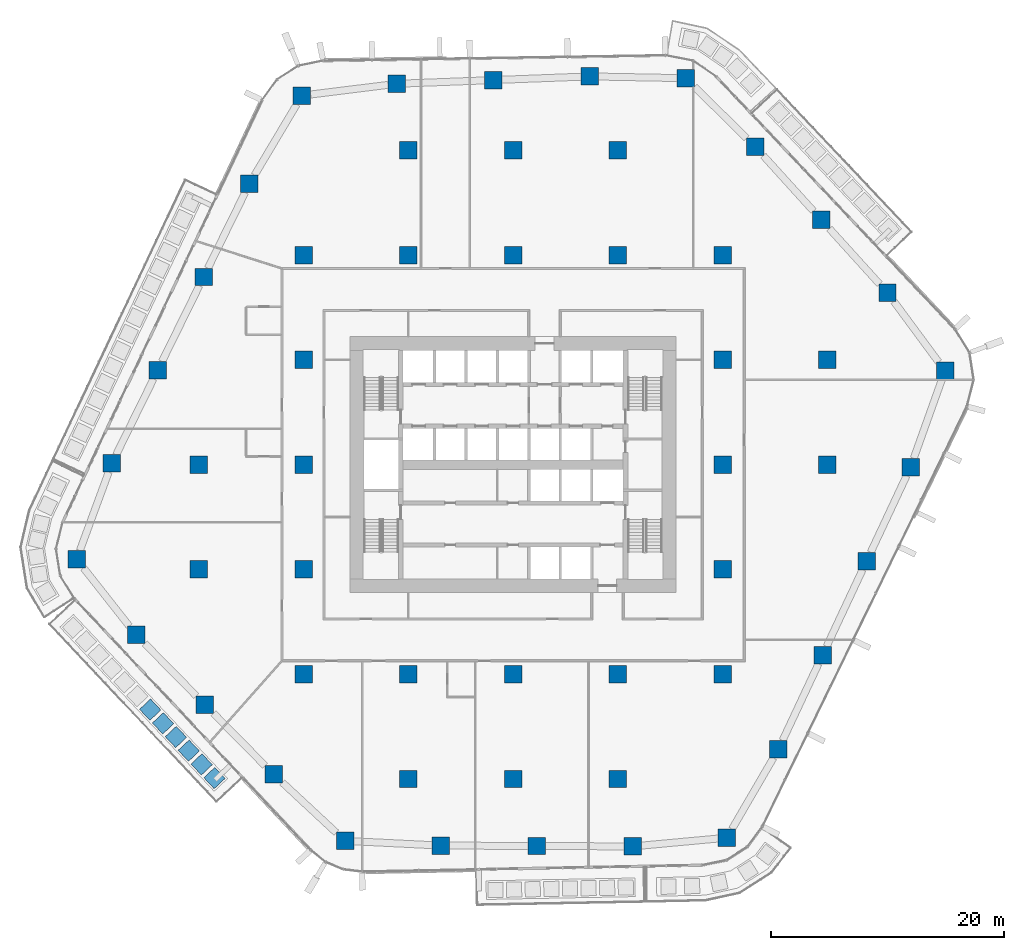
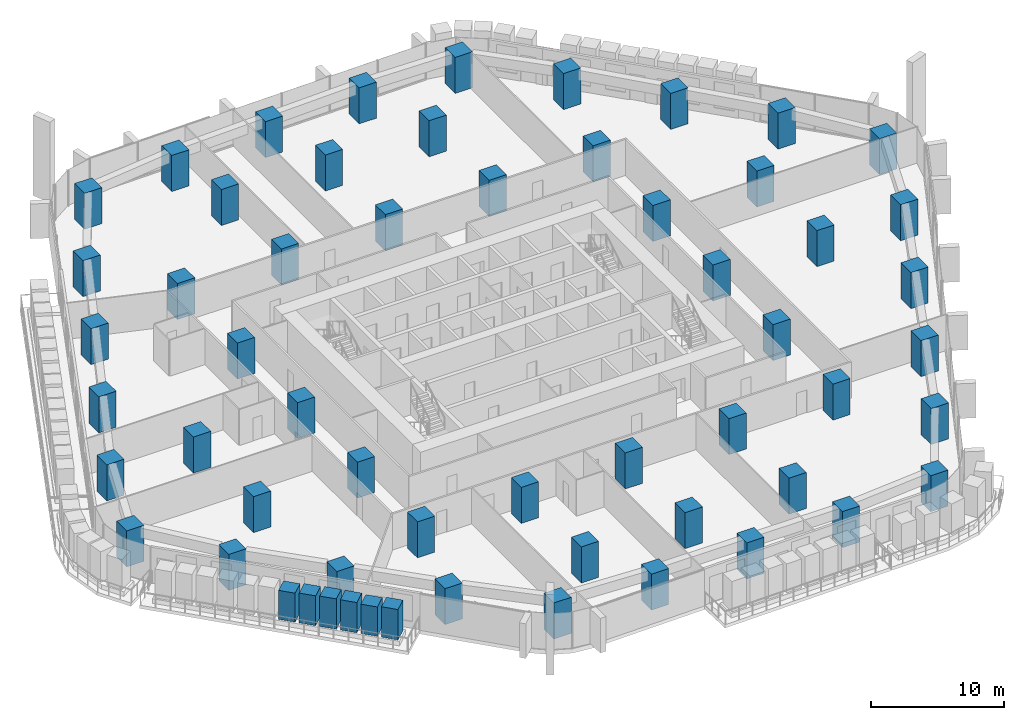
# One storey, part 1 of 25: 52 columns, 6 members.
"""IFC4 building model written with IfcOpenShell, lengths in metres."""

from ifc_helpers import new_model, si_unit, direction, frame, origin, origin_2d, place, context, subcontext, project, spatial, rectangle, extrude, material, material_profile, profile_set, type_object, element, save


model = new_model("IFC4")

# Units and contexts
model_context = context("Model", 3, precision=1e-05, world=origin(), true_north=direction((0.0, 1.0)))
body_context = subcontext(model_context, "Body", "Model", "MODEL_VIEW")
ifc_project = project(units=[si_unit("LENGTHUNIT", "METRE"), si_unit("AREAUNIT", "SQUARE_METRE"), si_unit("VOLUMEUNIT", "CUBIC_METRE"), si_unit("PLANEANGLEUNIT", "RADIAN"), si_unit("MASSUNIT", "GRAM", prefix="KILO")], contexts=[model_context])

# Site, building, storey
site_placement = place(None, origin())
site = spatial("IfcSite", under=ifc_project, at=site_placement, CompositionType="ELEMENT")
building_placement = place(site_placement, origin())
building = spatial("IfcBuilding", under=site, at=building_placement, Name="Dongbaek Canopy Tower", CompositionType="ELEMENT")
storey_placement = place(building_placement, frame((0.0, 0.0, 77.300048828125)))
storey = spatial("IfcBuildingStorey", under=building, at=storey_placement, Name="L15", CompositionType="ELEMENT", Elevation=77.300048828125)

# Columns
ifc_material_1 = material(Name="Concrete C80", Category="concrete")
ifc_material_profile_1 = material_profile(ifc_material_1, rectangle(XDim=1.5, YDim=1.5, at=origin_2d()), Name="RC COLUMN 1500x1500 C80")
ifc_profile_set_1 = profile_set([ifc_material_profile_1], Name="Concrete C80")
column_type = type_object("IfcColumnType", Name="RC COLUMN 1500x1500 C80", PredefinedType="COLUMN", material=ifc_profile_set_1)
for number, where, z_axis, x_axis, name in (
    (1, (18.367919921875, -32.04296875, 0.0), (0.0, 0.0, 1.0), (1.0, 0.0, 0.0), "COL:CZ1-01:L15"),
    (2, (10.277099609375, -32.7900390625, 0.0), (0.0, 0.0, 1.0), (1.0, 0.0, 0.0), "COL:CZ1-02:L15"),
    (3, (2.027099609375, -32.7529296875, 0.0), (0.0, 0.0, 1.0), (1.0, 0.0, 0.0), "COL:CZ1-03:L15"),
    (4, (-6.221923828125, -32.717041015625, 0.0), (0.0, 0.0, 1.0), (1.0, 0.0, 0.0), "COL:CZ1-04:L15"),
    (5, (-14.43408203125, -32.31298828125, 0.0), (0.0, 0.0, 1.0), (1.0, 0.0, 0.0), "COL:CZ1-05:L15"),
    (6, (-20.573974609375, -26.60205078125, 0.0), (0.0, 0.0, 1.0), (1.0, 0.0, 0.0), "COL:CZ1-06:L15"),
    (7, (-26.47802734375, -20.60791015625, 0.0), (0.0, 0.0, 1.0), (1.0, 0.0, 0.0), "COL:CZ1-07:L15"),
    (8, (-32.382080078125, -14.613037109375, 0.0), (0.0, 0.0, 1.0), (1.0, 0.0, 0.0), "COL:CZ1-08:L15"),
    (9, (-37.489013671875, -8.123046875, 0.0), (0.0, 0.0, 1.0), (1.0, 0.0, 0.0), "COL:CZ1-09:L15"),
    (10, (-34.462890625, 0.10302734375, 0.0), (0.0, 0.0, 1.0), (1.0, 0.0, 0.0), "COL:CZ1-10:L15"),
    (11, (-30.52490234375, 8.111083984375, 0.0), (0.0, 0.0, 1.0), (1.0, 0.0, 0.0), "COL:CZ1-11:L15"),
    (12, (-26.5859375, 16.117919921875, 0.0), (0.0, 0.0, 1.0), (1.0, 0.0, 0.0), "COL:CZ1-12:L15"),
    (13, (-22.64794921875, 24.125, 0.0), (0.0, 0.0, 1.0), (1.0, 0.0, 0.0), "COL:CZ1-13:L15"),
    (14, (-18.138916015625, 31.698974609375, 0.0), (0.0, 0.0, 1.0), (1.0, 0.0, 0.0), "COL:CZ1-14:L15"),
    (15, (-10.006103515625, 32.714111328125, 0.0), (0.0, 0.0, 1.0), (1.0, 0.0, 0.0), "COL:CZ1-15:L15"),
    (16, (-1.7080078125, 33.031982421875, 0.0), (0.0, 0.0, 1.0), (1.0, 0.0, 0.0), "COL:CZ1-16:L15"),
    (17, (6.589111328125, 33.34912109375, 0.0), (0.0, 0.0, 1.0), (1.0, 0.0, 0.0), "COL:CZ1-17:L15"),
    (18, (14.830078125, 33.194091796875, 0.0), (0.0, 0.0, 1.0), (1.0, 0.0, 0.0), "COL:CZ1-18:L15"),
    (19, (20.804931640625, 27.297119140625, 0.0), (0.0, 0.0, 1.0), (1.0, 0.0, 0.0), "COL:CZ1-19:L15"),
    (20, (26.48193359375, 21.029052734375, 0.0), (0.0, 0.0, 1.0), (1.0, 0.0, 0.0), "COL:CZ1-20:L15"),
    (21, (32.157958984375, 14.760986328125, 0.0), (0.0, 0.0, 1.0), (1.0, 0.0, 0.0), "COL:CZ1-21:L15"),
    (22, (37.097900390625, 8.06591796875, 0.0), (0.0, 0.0, 1.0), (1.0, 0.0, 0.0), "COL:CZ1-22:L15"),
    (23, (34.14306640625, -0.205078125, 0.0), (0.0, 0.0, 1.0), (1.0, 0.0, 0.0), "COL:CZ1-23:L15"),
    (24, (30.360107421875, -8.283935546875, 0.0), (0.0, 0.0, 1.0), (1.0, 0.0, 0.0), "COL:CZ1-24:L15"),
    (25, (26.575927734375, -16.364013671875, 0.0), (0.0, 0.0, 1.0), (1.0, 0.0, 0.0), "COL:CZ1-25:L15"),
    (26, (22.7919921875, -24.443115234375, 0.0), (0.0, 0.0, 1.0), (1.0, 0.0, 0.0), "COL:CZ1-26:L15"),
    (27, (-27.0, -9.0, 0.0), (0.0, 0.0, 1.0), (1.0, 0.0, 0.0), "COL:CIZ1-01:L15"),
    (28, (-27.0, 0.0, 0.0), (0.0, 0.0, 1.0), (1.0, 0.0, 0.0), "COL:CIZ1-02:L15"),
    (29, (-18.0, -18.0, 0.0), (0.0, 0.0, 1.0), (1.0, 0.0, 0.0), "COL:CIZ1-03:L15"),
    (30, (-18.0, -9.0, 0.0), (0.0, 0.0, 1.0), (1.0, 0.0, 0.0), "COL:CIZ1-04:L15"),
    (31, (-18.0, 0.0, 0.0), (0.0, 0.0, 1.0), (1.0, 0.0, 0.0), "COL:CIZ1-05:L15"),
    (32, (-18.0, 9.0, 0.0), (0.0, 0.0, 1.0), (1.0, 0.0, 0.0), "COL:CIZ1-06:L15"),
    (33, (-18.0, 18.0, 0.0), (0.0, 0.0, 1.0), (1.0, 0.0, 0.0), "COL:CIZ1-07:L15"),
    (34, (-9.0, -27.0, 0.0), (0.0, 0.0, 1.0), (1.0, 0.0, 0.0), "COL:CIZ1-08:L15"),
    (35, (-9.0, -18.0, 0.0), (0.0, 0.0, 1.0), (1.0, 0.0, 0.0), "COL:CIZ1-09:L15"),
    (36, (-9.0, 18.0, 0.0), (0.0, 0.0, 1.0), (1.0, 0.0, 0.0), "COL:CIZ1-10:L15"),
    (37, (-9.0, 27.0, 0.0), (0.0, 0.0, 1.0), (1.0, 0.0, 0.0), "COL:CIZ1-11:L15"),
    (38, (0.0, -27.0, 0.0), (0.0, 0.0, 1.0), (1.0, 0.0, 0.0), "COL:CIZ1-12:L15"),
    (39, (0.0, -18.0, 0.0), (0.0, 0.0, 1.0), (1.0, 0.0, 0.0), "COL:CIZ1-13:L15"),
    (40, (0.0, 18.0, 0.0), (0.0, 0.0, 1.0), (1.0, 0.0, 0.0), "COL:CIZ1-14:L15"),
    (41, (0.0, 27.0, 0.0), (0.0, 0.0, 1.0), (1.0, 0.0, 0.0), "COL:CIZ1-15:L15"),
    (42, (9.0, -27.0, 0.0), (0.0, 0.0, 1.0), (1.0, 0.0, 0.0), "COL:CIZ1-16:L15"),
    (43, (9.0, -18.0, 0.0), (0.0, 0.0, 1.0), (1.0, 0.0, 0.0), "COL:CIZ1-17:L15"),
    (44, (9.0, 18.0, 0.0), (0.0, 0.0, 1.0), (1.0, 0.0, 0.0), "COL:CIZ1-18:L15"),
    (45, (9.0, 27.0, 0.0), (0.0, 0.0, 1.0), (1.0, 0.0, 0.0), "COL:CIZ1-19:L15"),
    (46, (18.0, -18.0, 0.0), (0.0, 0.0, 1.0), (1.0, 0.0, 0.0), "COL:CIZ1-20:L15"),
    (47, (18.0, -9.0, 0.0), (0.0, 0.0, 1.0), (1.0, 0.0, 0.0), "COL:CIZ1-21:L15"),
    (48, (18.0, 0.0, 0.0), (0.0, 0.0, 1.0), (1.0, 0.0, 0.0), "COL:CIZ1-22:L15"),
    (49, (18.0, 9.0, 0.0), (0.0, 0.0, 1.0), (1.0, 0.0, 0.0), "COL:CIZ1-23:L15"),
    (50, (18.0, 18.0, 0.0), (0.0, 0.0, 1.0), (1.0, 0.0, 0.0), "COL:CIZ1-24:L15"),
    (51, (27.0, 0.0, 0.0), (0.0, 0.0, 1.0), (1.0, 0.0, 0.0), "COL:CIZ1-25:L15"),
    (52, (27.0, 9.0, 0.0), (0.0, 0.0, 1.0), (1.0, 0.0, 0.0), "COL:CIZ1-26:L15"),
):
    element("IfcColumn", number, at=place(storey_placement, frame(where, z_axis=z_axis, x_axis=x_axis)), inside=storey, type_object=column_type, Name=name, PredefinedType="COLUMN", context=body_context, shape_type="SweptSolid", body=[
        extrude(rectangle(XDim=1.5, YDim=1.5, at=origin_2d()), origin(), (0.0, 0.0, 1.0), 3.300048828125),
    ])

# Members
ifc_material_2 = material(Name="Concrete C40/50 planter mass with planting", Category="concrete")
ifc_material_profile_2 = material_profile(ifc_material_2, rectangle(XDim=1.300048828125, YDim=1.300048828125, at=origin_2d()), Name="Terrace PLANTER shrub mass 1300 x 1300")
ifc_profile_set_2 = profile_set([ifc_material_profile_2], Name="Concrete C40/50 planter mass with planting")
member_type = type_object("IfcMemberType", Name="Terrace PLANTER shrub mass 1300 x 1300", PredefinedType="USERDEFINED", material=ifc_profile_set_2)
member_1_placement = place(storey_placement, frame((-31.1708984375, -21.043212890625, 0.419921875), z_axis=(0.0, 0.0, 1.0), x_axis=(-0.728584719372, -0.684955696886, 0.0)))
element("IfcMember", 53, at=member_1_placement, inside=storey, type_object=member_type, Name="Planter shrubs L15 3.7", ObjectType="PLANTER", PredefinedType="USERDEFINED", context=body_context, shape_type="SweptSolid", body=[
    extrude(rectangle(XDim=1.300048828125, YDim=1.300048828125, at=origin_2d()), origin(), (0.0, 0.0, 1.0), 2.650146484375),
])
member_2_placement = place(storey_placement, frame((-30.06640625, -22.218017578125, 0.419921875), z_axis=(0.0, 0.0, 1.0), x_axis=(-0.728584719372, -0.684955696886, 0.0)))
element("IfcMember", 54, at=member_2_placement, inside=storey, type_object=member_type, Name="Planter shrubs L15 3.8", ObjectType="PLANTER", PredefinedType="USERDEFINED", context=body_context, shape_type="SweptSolid", body=[
    extrude(rectangle(XDim=1.300048828125, YDim=1.300048828125, at=origin_2d()), origin(), (0.0, 0.0, 1.0), 2.72998046875),
])
member_3_placement = place(storey_placement, frame((-28.9619140625, -23.392822265625, 0.419921875), z_axis=(0.0, 0.0, 1.0), x_axis=(-0.728584719372, -0.684955696886, 0.0)))
element("IfcMember", 55, at=member_3_placement, inside=storey, type_object=member_type, Name="Planter shrubs L15 3.9", ObjectType="PLANTER", PredefinedType="USERDEFINED", context=body_context, shape_type="SweptSolid", body=[
    extrude(rectangle(XDim=1.300048828125, YDim=1.300048828125, at=origin_2d()), origin(), (0.0, 0.0, 1.0), 2.780029296875),
])
member_4_placement = place(storey_placement, frame((-27.857421875, -24.567626953125, 0.419921875), z_axis=(0.0, 0.0, 1.0), x_axis=(-0.728584719372, -0.684955696886, 0.0)))
element("IfcMember", 56, at=member_4_placement, inside=storey, type_object=member_type, Name="Planter shrubs L15 3.10", ObjectType="PLANTER", PredefinedType="USERDEFINED", context=body_context, shape_type="SweptSolid", body=[
    extrude(rectangle(XDim=1.300048828125, YDim=1.300048828125, at=origin_2d()), origin(), (0.0, 0.0, 1.0), 2.77001953125),
])
member_5_placement = place(storey_placement, frame((-26.7529296875, -25.742431640625, 0.419921875), z_axis=(0.0, 0.0, 1.0), x_axis=(-0.728584719372, -0.684955696886, 0.0)))
element("IfcMember", 57, at=member_5_placement, inside=storey, type_object=member_type, Name="Planter shrubs L15 3.11", ObjectType="PLANTER", PredefinedType="USERDEFINED", context=body_context, shape_type="SweptSolid", body=[
    extrude(rectangle(XDim=1.300048828125, YDim=1.300048828125, at=origin_2d()), origin(), (0.0, 0.0, 1.0), 2.68994140625),
])
member_6_placement = place(storey_placement, frame((-25.6484375, -26.917236328125, 0.419921875), z_axis=(0.0, 0.0, 1.0), x_axis=(-0.728584719372, -0.684955696886, 0.0)))
element("IfcMember", 58, at=member_6_placement, inside=storey, type_object=member_type, Name="Planter shrubs L15 3.12", ObjectType="PLANTER", PredefinedType="USERDEFINED", context=body_context, shape_type="SweptSolid", body=[
    extrude(rectangle(XDim=1.300048828125, YDim=1.300048828125, at=origin_2d()), origin(), (0.0, 0.0, 1.0), 2.780029296875),
])

save(model, "model.ifc")
